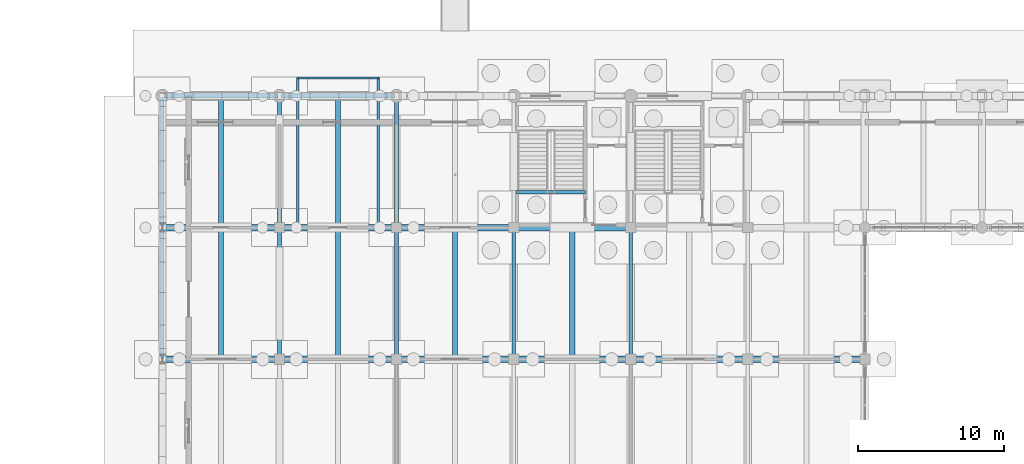
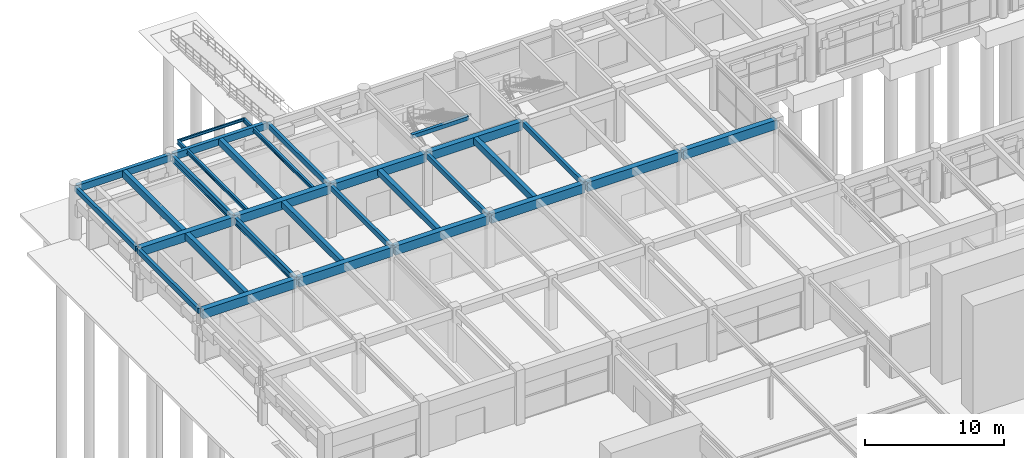
# One storey, part 51 of 147: 30 beams.
"""IFC4 building model written with IfcOpenShell, lengths in metres."""

from ifc_helpers import new_model, si_unit, direction, frame, origin, origin_2d, place, context, subcontext, project, spatial, rectangle, i_section, extrude, material, material_profile, profile_set, type_object, element, save


model = new_model("IFC4")

# Units and contexts
model_context = context("Model", 3, precision=1e-05, world=origin(), true_north=direction((0.0, 1.0)))
body_context = subcontext(model_context, "Body", "Model", "MODEL_VIEW")
ifc_project = project(units=[si_unit("LENGTHUNIT", "METRE"), si_unit("AREAUNIT", "SQUARE_METRE"), si_unit("VOLUMEUNIT", "CUBIC_METRE"), si_unit("PLANEANGLEUNIT", "RADIAN"), si_unit("MASSUNIT", "GRAM", prefix="KILO")], contexts=[model_context])

# Site, building, storey
site_placement = place(None, origin())
site = spatial("IfcSite", under=ifc_project, at=site_placement, CompositionType="ELEMENT")
building_placement = place(site_placement, origin())
building = spatial("IfcBuilding", under=site, at=building_placement, Name="Varnabhumi Central Station", CompositionType="ELEMENT")
storey_placement = place(building_placement, origin())
storey = spatial("IfcBuildingStorey", under=building, at=storey_placement, Name="L00", CompositionType="ELEMENT", Elevation=0.0)

# Beams
ifc_material_1 = material(Name="Structural steel E350", Category="steel")
ifc_material_profile_1 = material_profile(ifc_material_1, i_section(OverallWidth=0.125, OverallDepth=0.25, WebThickness=0.0068359375, FlangeThickness=0.012451171875, FilletRadius=0.012939453125, at=origin_2d()), Name="Structural steel E350", Category="steel")
ifc_profile_set_1 = profile_set([ifc_material_profile_1], Name="Structural steel E350")
beam_type_1 = type_object("IfcBeamType", Name="BM-PUR-ISMB250", PredefinedType="JOIST", material=ifc_profile_set_1)
beam_1_placement = place(storey_placement, frame((9.25, 117.219970703125, 4.425048828125), z_axis=(1.0, 0.0, 0.0), x_axis=(0.0, 1.0, 0.0)))
element("IfcBeam", 1, at=beam_1_placement, inside=storey, type_object=beam_type_1, Name="Spanish Balcony Fascia Beam L01-6", PredefinedType="JOIST", context=body_context, shape_type="SweptSolid", body=[
    extrude(i_section(OverallWidth=0.125, OverallDepth=0.25, WebThickness=0.0068359375, FlangeThickness=0.012451171875, FilletRadius=0.012939453125, at=origin_2d()), origin(), (0.0, 0.0, 1.0), 5.5),
])
ifc_material_2 = material(Name="Concrete M35", Category="concrete")
ifc_material_profile_2 = material_profile(ifc_material_2, rectangle(XDim=0.25, YDim=0.35009765625, at=origin_2d()), Name="Concrete M35", Category="concrete")
ifc_profile_set_2 = profile_set([ifc_material_profile_2], Name="Concrete M35")
beam_type_2 = type_object("IfcBeamType", Name="BM-RC-250x350", PredefinedType="LINTEL", material=ifc_profile_set_2)
beam_2_placement = place(storey_placement, frame((24.179931640625, 109.419921875, 4.375), z_axis=(1.0, 0.0, 0.0), x_axis=(0.0, 1.0, 0.0)))
element("IfcBeam", 2, at=beam_2_placement, inside=storey, type_object=beam_type_2, Name="ST-N1 L00 Floor Opening Trimmer Beam", PredefinedType="LINTEL", context=body_context, shape_type="SweptSolid", body=[
    extrude(rectangle(XDim=0.25, YDim=0.35009765625, at=origin_2d()), origin(), (0.0, 0.0, 1.0), 4.719970703125),
])
ifc_material_profile_3 = material_profile(ifc_material_2, rectangle(XDim=0.25, YDim=0.449951171875, at=origin_2d()), Name="Concrete M35", Category="concrete")
ifc_profile_set_3 = profile_set([ifc_material_profile_3], Name="Concrete M35")
beam_type_3 = type_object("IfcBeamType", Name="BM-RC-250x450", PredefinedType="LINTEL", material=ifc_profile_set_3)
for number, where, z_axis, x_axis, name in (
    (3, (0.0, 98.10009765625, 4.324951171875), (0.0, 1.0, 0.0), (-1.0, 0.0, 0.0), "Beam L00-1:M-N"),
    (4, (16.0, 98.10009765625, 4.324951171875), (0.0, 1.0, 0.0), (-1.0, 0.0, 0.0), "Beam L00-3:M-N"),
    (5, (24.0, 98.10009765625, 4.324951171875), (0.0, 1.0, 0.0), (-1.0, 0.0, 0.0), "Beam L00-4:M-N"),
    (6, (32.0, 98.10009765625, 4.324951171875), (0.0, 1.0, 0.0), (-1.0, 0.0, 0.0), "Beam L00-5:M-N"),
    (7, (0.0, 107.10009765625, 4.324951171875), (0.0, 1.0, 0.0), (-1.0, 0.0, 0.0), "Beam L00-1:N-P"),
    (8, (16.0, 107.10009765625, 4.324951171875), (0.0, 1.0, 0.0), (-1.0, 0.0, 0.0), "Beam L00-3:N-P"),
):
    element("IfcBeam", number, at=place(storey_placement, frame(where, z_axis=z_axis, x_axis=x_axis)), inside=storey, type_object=beam_type_3, Name=name, PredefinedType="LINTEL", context=body_context, shape_type="SweptSolid", body=[
        extrude(rectangle(XDim=0.25, YDim=0.449951171875, at=origin_2d()), origin(), (0.0, 0.0, 1.0), 8.7998046875),
    ])
ifc_material_3 = material(Name="Concrete M40", Category="concrete")
ifc_material_profile_4 = material_profile(ifc_material_3, rectangle(XDim=0.300048828125, YDim=0.60009765625, at=origin_2d()), Name="Concrete M40", Category="concrete")
ifc_profile_set_4 = profile_set([ifc_material_profile_4], Name="Concrete M40")
beam_type_4 = type_object("IfcBeamType", Name="BM-RC-300x600", PredefinedType="SPANDREL", material=ifc_profile_set_4)
for number, where, z_axis, x_axis, name in (
    (9, (0.10009765625, 116.0, 4.25), (1.0, 0.0, 0.0), (0.0, 1.0, 0.0), "Beam L00-P:1-2"),
    (10, (8.10009765625, 116.0, 4.25), (1.0, 0.0, 0.0), (0.0, 1.0, 0.0), "Beam L00-P:2-3"),
):
    element("IfcBeam", number, at=place(storey_placement, frame(where, z_axis=z_axis, x_axis=x_axis)), inside=storey, type_object=beam_type_4, Name=name, PredefinedType="SPANDREL", context=body_context, shape_type="SweptSolid", body=[
        extrude(rectangle(XDim=0.300048828125, YDim=0.60009765625, at=origin_2d()), origin(), (0.0, 0.0, 1.0), 7.7998046875),
    ])
ifc_material_profile_5 = material_profile(ifc_material_3, rectangle(XDim=0.35009765625, YDim=0.5, at=origin_2d()), Name="Concrete M40", Category="concrete")
ifc_profile_set_5 = profile_set([ifc_material_profile_5], Name="Concrete M40")
beam_type_5 = type_object("IfcBeamType", Name="BM-RC-350x500", PredefinedType="JOIST", material=ifc_profile_set_5)
beam_3_placement = place(storey_placement, frame((20.0, 98.22509765625, 4.300048828125), z_axis=(0.0, 1.0, 0.0), x_axis=(-1.0, 0.0, 0.0)))
element("IfcBeam", 11, at=beam_3_placement, inside=storey, type_object=beam_type_5, Name="Secondary Joist L00-3/4:M-N", PredefinedType="JOIST", context=body_context, shape_type="SweptSolid", body=[
    extrude(rectangle(XDim=0.35009765625, YDim=0.5, at=origin_2d()), origin(), (0.0, 0.0, 1.0), 8.5498046875),
])
ifc_material_profile_6 = material_profile(ifc_material_3, rectangle(XDim=0.35009765625, YDim=0.550048828125, at=origin_2d()), Name="Concrete M40", Category="concrete")
ifc_profile_set_6 = profile_set([ifc_material_profile_6], Name="Concrete M40")
beam_type_6 = type_object("IfcBeamType", Name="BM-RC-350x550", PredefinedType="JOIST", material=ifc_profile_set_6)
beam_4_placement = place(storey_placement, frame((12.0, 98.22509765625, 4.27490234375), z_axis=(0.0, 1.0, 0.0), x_axis=(-1.0, 0.0, 0.0)))
element("IfcBeam", 12, at=beam_4_placement, inside=storey, type_object=beam_type_6, Name="Secondary Joist L00-2/3:M-N", PredefinedType="JOIST", context=body_context, shape_type="SweptSolid", body=[
    extrude(rectangle(XDim=0.35009765625, YDim=0.550048828125, at=origin_2d()), origin(), (0.0, 0.0, 1.0), 8.5498046875),
])
beam_5_placement = place(storey_placement, frame((12.0, 107.22509765625, 4.27490234375), z_axis=(0.0, 1.0, 0.0), x_axis=(-1.0, 0.0, 0.0)))
element("IfcBeam", 13, at=beam_5_placement, inside=storey, type_object=beam_type_6, Name="Secondary Joist L00-2/3:N-P", PredefinedType="JOIST", context=body_context, shape_type="SweptSolid", body=[
    extrude(rectangle(XDim=0.35009765625, YDim=0.550048828125, at=origin_2d()), origin(), (0.0, 0.0, 1.0), 8.625),
])
ifc_material_profile_7 = material_profile(ifc_material_3, rectangle(XDim=0.449951171875, YDim=0.75, at=origin_2d()), Name="Concrete M40", Category="concrete")
ifc_profile_set_7 = profile_set([ifc_material_profile_7], Name="Concrete M40")
beam_type_7 = type_object("IfcBeamType", Name="BM-RC-450x750", PredefinedType="BEAM", material=ifc_profile_set_7)
for number, where, z_axis, x_axis, name in (
    (14, (0.10009765625, 107.0, 4.175048828125), (1.0, 0.0, 0.0), (0.0, 1.0, 0.0), "Beam L00-N:1-2"),
    (15, (8.10009765625, 107.0, 4.175048828125), (1.0, 0.0, 0.0), (0.0, 1.0, 0.0), "Beam L00-N:2-3"),
    (16, (16.10009765625, 107.0, 4.175048828125), (1.0, 0.0, 0.0), (0.0, 1.0, 0.0), "Beam L00-N:3-4"),
    (17, (24.10009765625, 107.0, 4.175048828125), (1.0, 0.0, 0.0), (0.0, 1.0, 0.0), "Beam L00-N:4-5"),
):
    element("IfcBeam", number, at=place(storey_placement, frame(where, z_axis=z_axis, x_axis=x_axis)), inside=storey, type_object=beam_type_7, Name=name, PredefinedType="BEAM", context=body_context, shape_type="SweptSolid", body=[
        extrude(rectangle(XDim=0.449951171875, YDim=0.75, at=origin_2d()), origin(), (0.0, 0.0, 1.0), 7.7998046875),
    ])
ifc_material_profile_8 = material_profile(ifc_material_3, rectangle(XDim=0.35009765625, YDim=0.60009765625, at=origin_2d()), Name="Concrete M40", Category="concrete")
ifc_profile_set_8 = profile_set([ifc_material_profile_8], Name="Concrete M40")
beam_type_8 = type_object("IfcBeamType", Name="BM-RC-600x350", PredefinedType="JOIST", material=ifc_profile_set_8)
for number, where, z_axis, x_axis, name in (
    (18, (4.0, 98.22509765625, 4.25), (0.0, 1.0, 0.0), (-1.0, 0.0, 0.0), "Secondary Joist L00-1/2:M-N"),
    (19, (28.0, 98.22509765625, 4.25), (0.0, 1.0, 0.0), (-1.0, 0.0, 0.0), "Secondary Joist L00-4/5:M-N"),
):
    element("IfcBeam", number, at=place(storey_placement, frame(where, z_axis=z_axis, x_axis=x_axis)), inside=storey, type_object=beam_type_8, Name=name, PredefinedType="JOIST", context=body_context, shape_type="SweptSolid", body=[
        extrude(rectangle(XDim=0.35009765625, YDim=0.60009765625, at=origin_2d()), origin(), (0.0, 0.0, 1.0), 8.5498046875),
    ])
beam_6_placement = place(storey_placement, frame((4.0, 107.22509765625, 4.25), z_axis=(0.0, 1.0, 0.0), x_axis=(-1.0, 0.0, 0.0)))
element("IfcBeam", 20, at=beam_6_placement, inside=storey, type_object=beam_type_8, Name="Secondary Joist L00-1/2:N-P", PredefinedType="JOIST", context=body_context, shape_type="SweptSolid", body=[
    extrude(rectangle(XDim=0.35009765625, YDim=0.60009765625, at=origin_2d()), origin(), (0.0, 0.0, 1.0), 8.625),
])
ifc_material_profile_9 = material_profile(ifc_material_3, rectangle(XDim=0.449951171875, YDim=0.800048828125, at=origin_2d()), Name="Concrete M40", Category="concrete")
ifc_profile_set_9 = profile_set([ifc_material_profile_9], Name="Concrete M40")
beam_type_9 = type_object("IfcBeamType", Name="BM-RC-800x450", PredefinedType="BEAM", material=ifc_profile_set_9)
for number, where, z_axis, x_axis, name in (
    (21, (0.10009765625, 98.0, 4.14990234375), (1.0, 0.0, 0.0), (0.0, 1.0, 0.0), "Beam L00-M:1-2"),
    (22, (8.10009765625, 98.0, 4.14990234375), (1.0, 0.0, 0.0), (0.0, 1.0, 0.0), "Beam L00-M:2-3"),
    (23, (16.10009765625, 98.0, 4.14990234375), (1.0, 0.0, 0.0), (0.0, 1.0, 0.0), "Beam L00-M:3-4"),
    (24, (24.10009765625, 98.0, 4.14990234375), (1.0, 0.0, 0.0), (0.0, 1.0, 0.0), "Beam L00-M:4-5"),
    (25, (32.10009765625, 98.0, 4.14990234375), (1.0, 0.0, 0.0), (0.0, 1.0, 0.0), "Beam L00-M:5-6"),
    (26, (40.10009765625, 98.0, 4.14990234375), (1.0, 0.0, 0.0), (0.0, 1.0, 0.0), "Beam L00-M:6-7"),
):
    element("IfcBeam", number, at=place(storey_placement, frame(where, z_axis=z_axis, x_axis=x_axis)), inside=storey, type_object=beam_type_9, Name=name, PredefinedType="BEAM", context=body_context, shape_type="SweptSolid", body=[
        extrude(rectangle(XDim=0.449951171875, YDim=0.800048828125, at=origin_2d()), origin(), (0.0, 0.0, 1.0), 7.7998046875),
    ])
ifc_material_profile_10 = material_profile(ifc_material_1, i_section(OverallWidth=0.25, OverallDepth=0.60009765625, WebThickness=0.01171875, FlangeThickness=0.023681640625, FilletRadius=0.01708984375, at=origin_2d()), Name="Structural steel E350", Category="steel")
ifc_profile_set_10 = profile_set([ifc_material_profile_10], Name="Structural steel E350")
beam_type_10 = type_object("IfcBeamType", Name="BM-SEC-ISWB600", PredefinedType="BEAM", material=ifc_profile_set_10)
for number, where, z_axis, x_axis, name in (
    (27, (8.0, 98.10009765625, 4.25), (0.0, 1.0, 0.0), (-1.0, 0.0, 0.0), "Beam L00-2:M-N"),
    (28, (8.0, 107.10009765625, 4.25), (0.0, 1.0, 0.0), (-1.0, 0.0, 0.0), "Beam L00-2:N-P"),
):
    element("IfcBeam", number, at=place(storey_placement, frame(where, z_axis=z_axis, x_axis=x_axis)), inside=storey, type_object=beam_type_10, Name=name, PredefinedType="BEAM", context=body_context, shape_type="SweptSolid", body=[
        extrude(i_section(OverallWidth=0.25, OverallDepth=0.60009765625, WebThickness=0.01171875, FlangeThickness=0.023681640625, FilletRadius=0.01708984375, at=origin_2d()), origin(), (0.0, 0.0, 1.0), 8.7998046875),
    ])
ifc_material_profile_11 = material_profile(ifc_material_1, i_section(OverallWidth=0.199951171875, OverallDepth=0.35009765625, WebThickness=0.008056640625, FlangeThickness=0.011474609375, FilletRadius=0.011962890625, at=origin_2d()), Name="Structural steel E350", Category="steel")
ifc_profile_set_11 = profile_set([ifc_material_profile_11], Name="Structural steel E350")
beam_type_11 = type_object("IfcBeamType", Name="BM-STL-ISWB350", PredefinedType="JOIST", material=ifc_profile_set_11)
for number, where, z_axis, x_axis, name in (
    (29, (9.25, 107.0, 4.375), (0.0, 1.0, 0.0), (-1.0, 0.0, 0.0), "Spanish Balcony Cantilever Outrigger L01-6-1"),
    (30, (14.75, 107.0, 4.375), (0.0, 1.0, 0.0), (-1.0, 0.0, 0.0), "Spanish Balcony Cantilever Outrigger L01-6-2"),
):
    element("IfcBeam", number, at=place(storey_placement, frame(where, z_axis=z_axis, x_axis=x_axis)), inside=storey, type_object=beam_type_11, Name=name, PredefinedType="JOIST", context=body_context, shape_type="SweptSolid", body=[
        extrude(i_section(OverallWidth=0.199951171875, OverallDepth=0.35009765625, WebThickness=0.008056640625, FlangeThickness=0.011474609375, FilletRadius=0.011962890625, at=origin_2d()), origin(), (0.0, 0.0, 1.0), 10.25),
    ])

save(model, "model.ifc")
